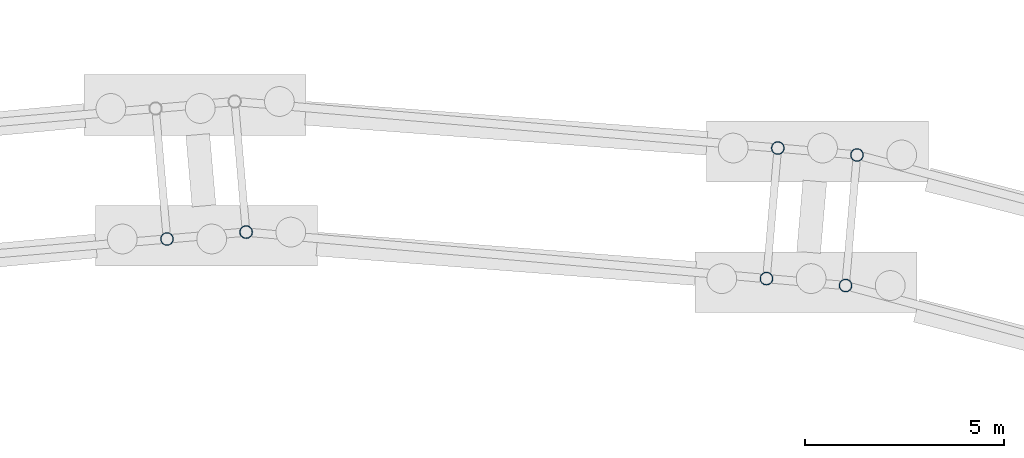
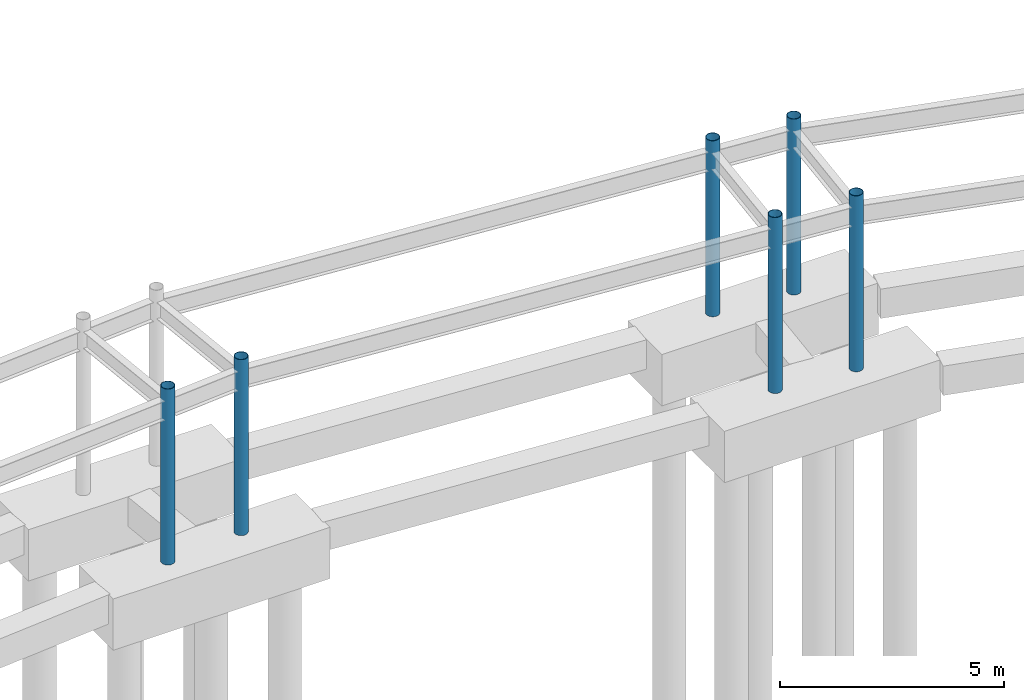
# One storey, part 20 of 68: 6 columns.
"""IFC4 building model written with IfcOpenShell, lengths in metres."""

from ifc_helpers import new_model, si_unit, direction, frame, origin, origin_2d, place, context, subcontext, project, spatial, hollow_circle, extrude, material, material_profile, profile_set, type_object, element, save


model = new_model("IFC4")

# Units and contexts
model_context = context("Model", 3, precision=1e-05, world=origin(), true_north=direction((0.0, 1.0)))
body_context = subcontext(model_context, "Body", "Model", "MODEL_VIEW")
ifc_project = project(units=[si_unit("LENGTHUNIT", "METRE"), si_unit("AREAUNIT", "SQUARE_METRE"), si_unit("VOLUMEUNIT", "CUBIC_METRE"), si_unit("PLANEANGLEUNIT", "RADIAN"), si_unit("MASSUNIT", "GRAM", prefix="KILO")], contexts=[model_context])

# Site, building, storey
site_placement = place(None, origin())
site = spatial("IfcSite", under=ifc_project, at=site_placement, CompositionType="ELEMENT")
building_placement = place(site_placement, origin())
building = spatial("IfcBuilding", under=site, at=building_placement, Name="Cinderbank Siding Concert Hall", CompositionType="ELEMENT")
storey_placement = place(building_placement, frame((0.0, 0.0, -4.800048828125)))
storey = spatial("IfcBuildingStorey", under=building, at=storey_placement, Name="B1", CompositionType="ELEMENT", Elevation=-4.800048828125)

# Columns
ifc_material = material(Name="Structural steel hollow section AS/NZS 1163 Grade C350L0 (350 MPa)", Category="steel")
ifc_material_profile = material_profile(ifc_material, hollow_circle(Radius=0.161865234375, WallThickness=0.0126953125, at=origin_2d()), Name="323.9x12.7CHS", Category="LoadBearing")
ifc_profile_set = profile_set([ifc_material_profile], Name="Structural steel hollow section AS/NZS 1163 Grade C350L0 (350 MPa)")
column_type = type_object("IfcColumnType", Name="C-CHS323 323.9x12.7CHS", PredefinedType="COLUMN", material=ifc_profile_set)
for number, where, z_axis, x_axis, name in (
    (1, (77.489013671875, 98.97412109375, 0.0), (0.0, 0.0, 1.0), (1.0, 0.0, 0.0), "B1 Column COL-BRR-03"),
    (2, (79.48095703125, 99.14794921875, 0.0), (0.0, 0.0, 1.0), (1.0, 0.0, 0.0), "B1 Column COL-BRR-04"),
    (3, (92.8701171875, 101.263916015625, 0.0), (0.0, 0.0, 1.0), (1.0, 0.0, 0.0), "B1 Column COL-BRL-05"),
    (4, (92.5830078125, 97.97705078125, 0.0), (0.0, 0.0, 1.0), (1.0, 0.0, 0.0), "B1 Column COL-BRR-05"),
    (5, (94.863037109375, 101.090087890625, 0.0), (0.0, 0.0, 1.0), (1.0, 0.0, 0.0), "B1 Column COL-BRL-06"),
    (6, (94.574951171875, 97.802001953125, 0.0), (0.0, 0.0, 1.0), (1.0, 0.0, 0.0), "B1 Column COL-BRR-06"),
):
    element("IfcColumn", number, at=place(storey_placement, frame(where, z_axis=z_axis, x_axis=x_axis)), inside=storey, type_object=column_type, Name=name, PredefinedType="COLUMN", context=body_context, shape_type="SweptSolid", body=[
        extrude(hollow_circle(Radius=0.161865234375, WallThickness=0.0126953125, at=origin_2d()), origin(), (0.0, 0.0, 1.0), 4.800048828125),
    ])

save(model, "model.ifc")
